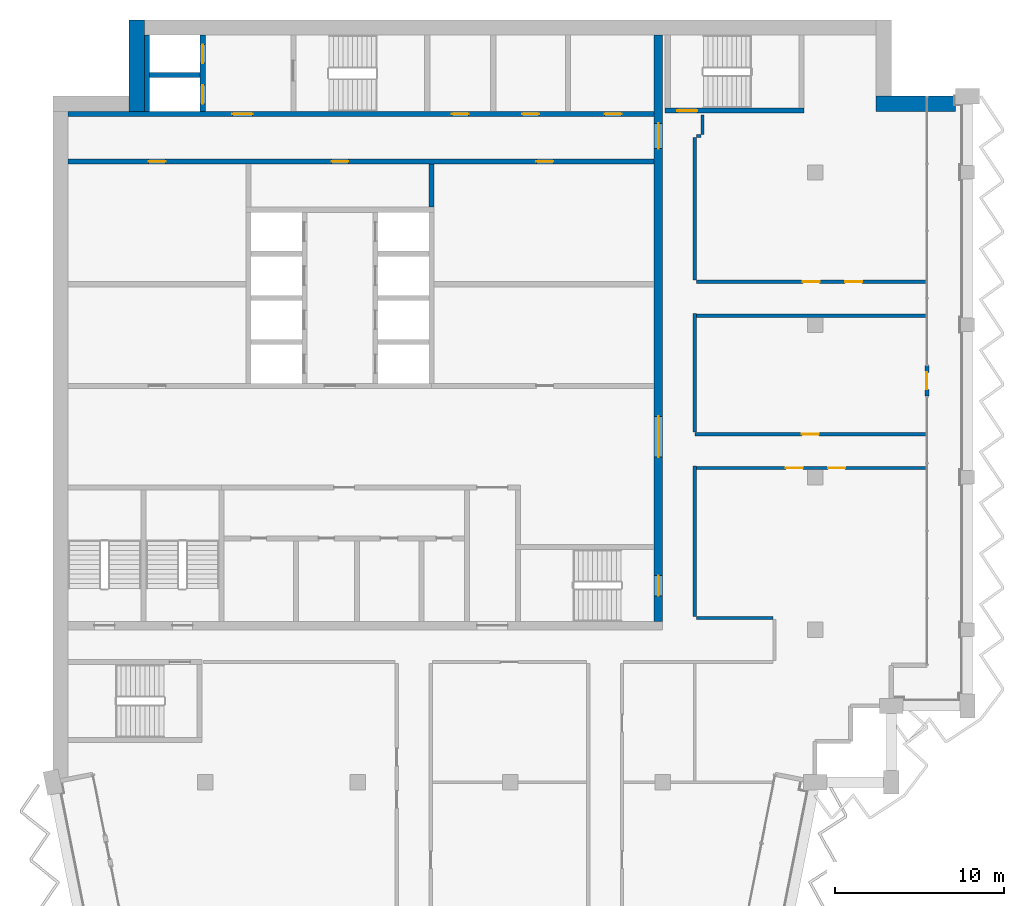
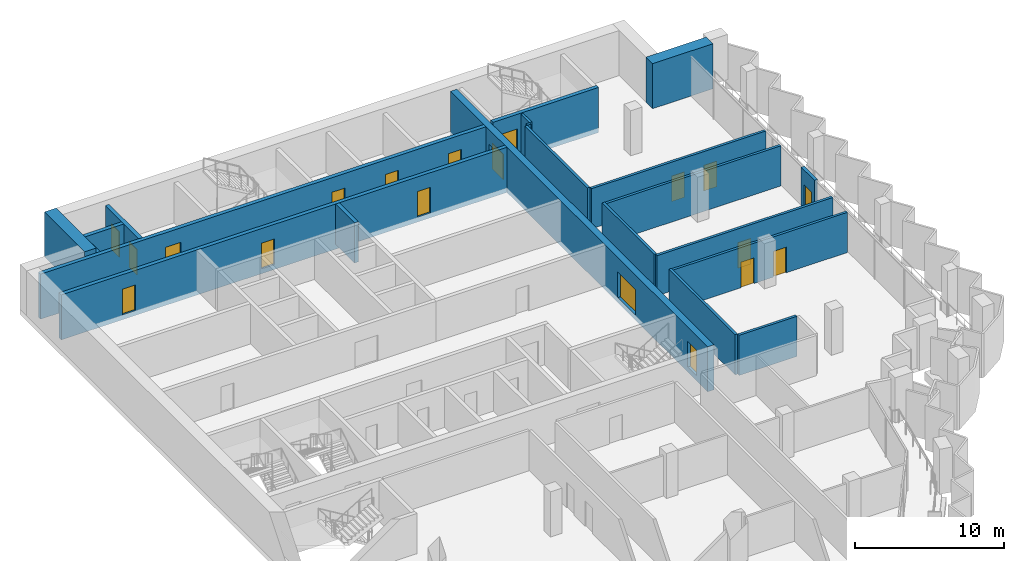
# One storey, part 9 of 14: 21 walls, 19 doors, 19 openings.
"""IFC4 building model written with IfcOpenShell, lengths in metres."""

from ifc_helpers import new_model, si_unit, direction, frame, frame_2d, origin, place, context, subcontext, project, spatial, rectangle, extrude, material, layer, layer_set, type_object, element, fill, save


model = new_model("IFC4")

# Units and contexts
model_context = context("Model", 3, precision=1e-05, world=origin(), true_north=direction((0.0, 1.0)))
body_context = subcontext(model_context, "Body", "Model", "MODEL_VIEW")
ifc_project = project(units=[si_unit("LENGTHUNIT", "METRE"), si_unit("AREAUNIT", "SQUARE_METRE"), si_unit("VOLUMEUNIT", "CUBIC_METRE"), si_unit("PLANEANGLEUNIT", "RADIAN"), si_unit("MASSUNIT", "GRAM", prefix="KILO")], contexts=[model_context])

# Site, building, storey
site_placement = place(None, origin())
site = spatial("IfcSite", under=ifc_project, at=site_placement, CompositionType="ELEMENT")
building_placement = place(site_placement, origin())
building = spatial("IfcBuilding", under=site, at=building_placement, Name="Hunhe Ridgeline Campus", CompositionType="ELEMENT")
storey_placement = place(building_placement, frame((0.0, 0.0, 284.5)))
storey = spatial("IfcBuildingStorey", under=building, at=storey_placement, Name="L73", CompositionType="ELEMENT", Elevation=284.5)

# Wall
ifc_material_1 = material(Name="Masonry concrete blockwork", Category="masonry")
ifc_layer_1 = layer(ifc_material_1, 0.300048828125)
ifc_layer_set_1 = layer_set([ifc_layer_1], Name="Core room partition 300 concrete block")
wall_type_1 = type_object("IfcWallType", Name="Core room partition 300 concrete block", PredefinedType="PARTITIONING", material=ifc_layer_set_1)
wall_1_placement = place(storey_placement, frame((22.35009765625, 87.949951171875, 0.0), z_axis=(0.0, 0.0, 1.0), x_axis=(0.0, 1.0, 0.0)))
element("IfcWall", 1, at=wall_1_placement, inside=storey, type_object=wall_type_1, Name="L73 core partition 38", PredefinedType="PARTITIONING", context=body_context, shape_type="SweptSolid", body=[
    extrude(rectangle(XDim=2.550048828125, YDim=0.300048828125, at=frame_2d((1.27490234375, 0.0))), origin(), (0.0, 0.0, 1.0), 3.300048828125),
])

# Wall, openings, doors
ifc_material_2 = material(Name="Concrete C50", Category="concrete")
ifc_layer_2 = layer(ifc_material_2, 0.5)
ifc_layer_set_2 = layer_set([ifc_layer_2], Name="Core wall 500 reinforced concrete C50")
wall_type_2 = type_object("IfcWallType", Name="Core wall 500 reinforced concrete C50", PredefinedType="SOLIDWALL", material=ifc_layer_set_2)
wall_2_placement = place(storey_placement, frame((35.75, 63.5, -0.39990234375), z_axis=(0.0, 0.0, 1.0), x_axis=(0.0, 1.0, 0.0)))
wall_2 = element("IfcWall", 2, at=wall_2_placement, inside=storey, type_object=wall_type_2, Name="L73 core wall 44", PredefinedType="SOLIDWALL", context=body_context, shape_type="SweptSolid", body=[
    extrude(rectangle(XDim=34.60009765625, YDim=0.5, at=frame_2d((17.300048828125, 0.0))), origin(), (0.0, 0.0, 1.0), 3.699951171875),
])
opening_1_placement = place(wall_2_placement, frame((9.699951171875, 0.0, 0.39990234375)))
opening_1 = element("IfcOpeningElement", 3, at=opening_1_placement, cuts=wall_2, Name="Opening CD4", PredefinedType="OPENING", context=body_context, shape_type="SweptSolid", body=[
    extrude(rectangle(XDim=2.39990234375, YDim=2.10009765625, at=frame_2d((1.199951171875, 1.050048828125))), frame((0.0, 0.25, 0.0), z_axis=(0.0, -1.0, 0.0), x_axis=(1.0, 0.0, 0.0)), (0.0, 0.0, 1.0), 0.5),
])
opening_2_placement = place(wall_2_placement, frame((27.89990234375, 0.0, 0.39990234375)))
opening_2 = element("IfcOpeningElement", 4, at=opening_2_placement, cuts=wall_2, Name="Opening CD5", PredefinedType="OPENING", context=body_context, shape_type="SweptSolid", body=[
    extrude(rectangle(XDim=1.5, YDim=2.10009765625, at=frame_2d((0.75, 1.050048828125))), frame((0.0, 0.25, 0.0), z_axis=(0.0, -1.0, 0.0), x_axis=(1.0, 0.0, 0.0)), (0.0, 0.0, 1.0), 0.5),
])
opening_3_placement = place(wall_2_placement, frame((1.5, 0.0, 0.39990234375)))
opening_3 = element("IfcOpeningElement", 5, at=opening_3_placement, cuts=wall_2, Name="Opening CD15", PredefinedType="OPENING", context=body_context, shape_type="SweptSolid", body=[
    extrude(rectangle(XDim=1.199951171875, YDim=2.10009765625, at=frame_2d((0.60009765625, 1.050048828125))), frame((0.0, 0.25, 0.0), z_axis=(0.0, -1.0, 0.0), x_axis=(1.0, 0.0, 0.0)), (0.0, 0.0, 1.0), 0.5),
])
ifc_material_3 = material(Name="Anodised aluminium and glass", Category="aluminium")
door_type_1 = type_object("IfcDoorType", Name="Glazed double door 2400x2100", OperationType="DOUBLE_DOOR_SINGLE_SWING", PredefinedType="DOOR", material=ifc_material_3)
door_1_placement = place(opening_1_placement, frame((2.39990234375, 0.0, 0.0), z_axis=(0.0, 0.0, 1.0), x_axis=(-1.0, 0.0, 0.0)))
door_1 = element("IfcDoor", 6, at=door_1_placement, inside=storey, type_object=door_type_1, Name="L73 door HALL-FLOOR", OperationType="DOUBLE_DOOR_SINGLE_SWING", OverallHeight=2.10009765625, OverallWidth=2.39990234375, PredefinedType="DOOR", context=body_context, shape_type="SweptSolid", body=[
    extrude(rectangle(XDim=2.39990234375, YDim=2.10009765625, at=frame_2d((1.199951171875, 1.050048828125))), frame((0.0, 0.02490234375, 0.0), z_axis=(0.0, -1.0, 0.0), x_axis=(1.0, 0.0, 0.0)), (0.0, 0.0, 1.0), 0.050048828125),
])
fill(opening_1, door_1)
ifc_material_4 = material(Name="Hollow metal fire door leaf")
door_type_2 = type_object("IfcDoorType", Name="Stair door 1200x2100 FD60", OperationType="SINGLE_SWING_LEFT", PredefinedType="DOOR", material=ifc_material_4)
door_2_placement = place(opening_3_placement, frame((1.199951171875, 0.0, 0.0), z_axis=(0.0, 0.0, 1.0), x_axis=(-1.0, 0.0, 0.0)))
door_2 = element("IfcDoor", 7, at=door_2_placement, inside=storey, type_object=door_type_2, Name="L73 door S2-FLOOR", OperationType="SINGLE_SWING_LEFT", OverallHeight=2.10009765625, OverallWidth=1.199951171875, PredefinedType="DOOR", context=body_context, shape_type="SweptSolid", body=[
    extrude(rectangle(XDim=1.199951171875, YDim=2.10009765625, at=frame_2d((0.60009765625, 1.050048828125))), frame((0.0, 0.02490234375, 0.0), z_axis=(0.0, -1.0, 0.0), x_axis=(1.0, 0.0, 0.0)), (0.0, 0.0, 1.0), 0.050048828125),
])
fill(opening_3, door_2)
ifc_material_5 = material(Name="Solid core timber door leaf", Category="wood")
door_type_3 = type_object("IfcDoorType", Name="Timber door 1500x2100", OperationType="SINGLE_SWING_LEFT", PredefinedType="DOOR", material=ifc_material_5)
door_3_placement = place(opening_2_placement, frame((1.5, 0.0, 0.0), z_axis=(0.0, 0.0, 1.0), x_axis=(-1.0, 0.0, 0.0)))
door_3 = element("IfcDoor", 8, at=door_3_placement, inside=storey, type_object=door_type_3, Name="L73 door C1-FLOOR", OperationType="SINGLE_SWING_LEFT", OverallHeight=2.10009765625, OverallWidth=1.5, PredefinedType="DOOR", context=body_context, shape_type="SweptSolid", body=[
    extrude(rectangle(XDim=1.5, YDim=2.10009765625, at=frame_2d((0.75, 1.050048828125))), frame((0.0, 0.02490234375, 0.0), z_axis=(0.0, -1.0, 0.0), x_axis=(1.0, 0.0, 0.0)), (0.0, 0.0, 1.0), 0.050048828125),
])
fill(opening_2, door_3)

# Wall
ifc_material_6 = material(Name="Gypsum board partition")
ifc_layer_3 = layer(ifc_material_6, 0.199951171875)
ifc_layer_set_3 = layer_set([ifc_layer_3], Name="Corridor partition 200 gypsum board on steel studs")
wall_type_3 = type_object("IfcWallType", Name="Corridor partition 200 gypsum board on steel studs", PredefinedType="PARTITIONING", material=ifc_layer_set_3)
wall_3_placement = place(storey_placement, frame((38.0, 63.699951171875, 0.0), z_axis=(0.0, 0.0, 1.0), x_axis=(1.0, 0.0, 0.0)))
element("IfcWall", 9, at=wall_3_placement, inside=storey, type_object=wall_type_3, Name="F-L73-wall-015", PredefinedType="PARTITIONING", context=body_context, shape_type="SweptSolid", body=[
    extrude(rectangle(XDim=4.5, YDim=0.199951171875, at=frame_2d((2.25, 0.0))), origin(), (0.0, 0.0, 1.0), 3.300048828125),
])

# Wall, openings, doors
wall_4_placement = place(storey_placement, frame((51.544921875, 72.550048828125, 0.0), z_axis=(0.0, 0.0, 1.0), x_axis=(-1.0, 0.0, 0.0)))
wall_4 = element("IfcWall", 10, at=wall_4_placement, inside=storey, type_object=wall_type_3, Name="F-L73-wall-016", PredefinedType="PARTITIONING", context=body_context, shape_type="SweptSolid", body=[
    extrude(rectangle(XDim=13.544921875, YDim=0.199951171875, at=frame_2d((6.7724609375, 0.0))), origin(), (0.0, 0.0, 1.0), 3.300048828125),
])
opening_4_placement = place(wall_4_placement, frame((7.2724609375, 0.0, 0.0)))
opening_4 = element("IfcOpeningElement", 11, at=opening_4_placement, cuts=wall_4, Name="Opening RD1-012", PredefinedType="OPENING", context=body_context, shape_type="SweptSolid", body=[
    extrude(rectangle(XDim=1.0, YDim=2.10009765625, at=frame_2d((0.5, 1.050048828125))), frame((0.0, 0.10009765625, 0.0), z_axis=(0.0, -1.0, 0.0), x_axis=(1.0, 0.0, 0.0)), (0.0, 0.0, 1.0), 0.199951171875),
])
opening_5_placement = place(wall_4_placement, frame((4.7724609375, 0.0, 0.0)))
opening_5 = element("IfcOpeningElement", 12, at=opening_5_placement, cuts=wall_4, Name="Opening RD1-013", PredefinedType="OPENING", context=body_context, shape_type="SweptSolid", body=[
    extrude(rectangle(XDim=1.0, YDim=2.10009765625, at=frame_2d((0.5, 1.050048828125))), frame((0.0, 0.10009765625, 0.0), z_axis=(0.0, -1.0, 0.0), x_axis=(1.0, 0.0, 0.0)), (0.0, 0.0, 1.0), 0.199951171875),
])
ifc_material_7 = material(Name="Timber door leaf", Category="wood")
door_type_4 = type_object("IfcDoorType", Name="Single fire door 1000x2100 timber FD60", OperationType="NOTDEFINED", PredefinedType="DOOR", material=ifc_material_7)
door_4_placement = place(opening_4_placement, frame((1.0, 0.0, 0.0), z_axis=(0.0, 0.0, 1.0), x_axis=(-1.0, 0.0, 0.0)))
door_4 = element("IfcDoor", 13, at=door_4_placement, inside=storey, type_object=door_type_4, Name="F-L73-door-012", OperationType="SINGLE_SWING_LEFT", OverallHeight=2.10009765625, OverallWidth=1.0, PredefinedType="DOOR", context=body_context, shape_type="SweptSolid", body=[
    extrude(rectangle(XDim=1.0, YDim=2.10009765625, at=frame_2d((0.5, 1.050048828125))), frame((0.0, 0.02490234375, 0.0), z_axis=(0.0, -1.0, 0.0), x_axis=(1.0, 0.0, 0.0)), (0.0, 0.0, 1.0), 0.050048828125),
])
fill(opening_4, door_4)
door_5_placement = place(opening_5_placement, frame((1.0, 0.0, 0.0), z_axis=(0.0, 0.0, 1.0), x_axis=(-1.0, 0.0, 0.0)))
door_5 = element("IfcDoor", 14, at=door_5_placement, inside=storey, type_object=door_type_4, Name="F-L73-door-013", OperationType="SINGLE_SWING_RIGHT", OverallHeight=2.10009765625, OverallWidth=1.0, PredefinedType="DOOR", context=body_context, shape_type="SweptSolid", body=[
    extrude(rectangle(XDim=1.0, YDim=2.10009765625, at=frame_2d((0.5, 1.050048828125))), frame((0.0, 0.02490234375, 0.0), z_axis=(0.0, -1.0, 0.0), x_axis=(1.0, 0.0, 0.0)), (0.0, 0.0, 1.0), 0.050048828125),
])
fill(opening_5, door_5)

# Wall, opening, door
wall_5_placement = place(storey_placement, frame((37.89990234375, 74.550048828125, 0.0), z_axis=(0.0, 0.0, 1.0), x_axis=(1.0, 0.0, 0.0)))
wall_5 = element("IfcWall", 15, at=wall_5_placement, inside=storey, type_object=wall_type_3, Name="F-L73-wall-017", PredefinedType="PARTITIONING", context=body_context, shape_type="SweptSolid", body=[
    extrude(rectangle(XDim=13.64501953125, YDim=0.199951171875, at=frame_2d((6.822509765625, 0.0))), origin(), (0.0, 0.0, 1.0), 3.300048828125),
])
opening_6_placement = place(wall_5_placement, frame((6.322509765625, 0.0, 0.0)))
opening_6 = element("IfcOpeningElement", 16, at=opening_6_placement, cuts=wall_5, Name="Opening RD1-014", PredefinedType="OPENING", context=body_context, shape_type="SweptSolid", body=[
    extrude(rectangle(XDim=1.0, YDim=2.10009765625, at=frame_2d((0.5, 1.050048828125))), frame((0.0, 0.10009765625, 0.0), z_axis=(0.0, -1.0, 0.0), x_axis=(1.0, 0.0, 0.0)), (0.0, 0.0, 1.0), 0.199951171875),
])
door_6_placement = place(opening_6_placement, origin())
door_6 = element("IfcDoor", 17, at=door_6_placement, inside=storey, type_object=door_type_4, Name="F-L73-door-014", OperationType="SINGLE_SWING_RIGHT", OverallHeight=2.10009765625, OverallWidth=1.0, PredefinedType="DOOR", context=body_context, shape_type="SweptSolid", body=[
    extrude(rectangle(XDim=1.0, YDim=2.10009765625, at=frame_2d((0.5, 1.050048828125))), frame((0.0, 0.02490234375, 0.0), z_axis=(0.0, -1.0, 0.0), x_axis=(1.0, 0.0, 0.0)), (0.0, 0.0, 1.0), 0.050048828125),
])
fill(opening_6, door_6)

# Wall
wall_6_placement = place(storey_placement, frame((51.544921875, 81.550048828125, 0.0), z_axis=(0.0, 0.0, 1.0), x_axis=(-1.0, 0.0, 0.0)))
element("IfcWall", 18, at=wall_6_placement, inside=storey, type_object=wall_type_3, Name="F-L73-wall-018", PredefinedType="PARTITIONING", context=body_context, shape_type="SweptSolid", body=[
    extrude(rectangle(XDim=13.544921875, YDim=0.199951171875, at=frame_2d((6.7724609375, 0.0))), origin(), (0.0, 0.0, 1.0), 3.300048828125),
])

# Wall, openings, doors
wall_7_placement = place(storey_placement, frame((38.0, 83.550048828125, 0.0), z_axis=(0.0, 0.0, 1.0), x_axis=(1.0, 0.0, 0.0)))
wall_7 = element("IfcWall", 19, at=wall_7_placement, inside=storey, type_object=wall_type_3, Name="F-L73-wall-019", PredefinedType="PARTITIONING", context=body_context, shape_type="SweptSolid", body=[
    extrude(rectangle(XDim=13.544921875, YDim=0.199951171875, at=frame_2d((6.7724609375, 0.0))), origin(), (0.0, 0.0, 1.0), 3.300048828125),
])
opening_7_placement = place(wall_7_placement, frame((6.2724609375, 0.0, 0.0)))
opening_7 = element("IfcOpeningElement", 20, at=opening_7_placement, cuts=wall_7, Name="Opening RD1-015", PredefinedType="OPENING", context=body_context, shape_type="SweptSolid", body=[
    extrude(rectangle(XDim=1.0, YDim=2.10009765625, at=frame_2d((0.5, 1.050048828125))), frame((0.0, 0.10009765625, 0.0), z_axis=(0.0, -1.0, 0.0), x_axis=(1.0, 0.0, 0.0)), (0.0, 0.0, 1.0), 0.199951171875),
])
opening_8_placement = place(wall_7_placement, frame((8.7724609375, 0.0, 0.0)))
opening_8 = element("IfcOpeningElement", 21, at=opening_8_placement, cuts=wall_7, Name="Opening RD1-016", PredefinedType="OPENING", context=body_context, shape_type="SweptSolid", body=[
    extrude(rectangle(XDim=1.0, YDim=2.10009765625, at=frame_2d((0.5, 1.050048828125))), frame((0.0, 0.10009765625, 0.0), z_axis=(0.0, -1.0, 0.0), x_axis=(1.0, 0.0, 0.0)), (0.0, 0.0, 1.0), 0.199951171875),
])
door_7_placement = place(opening_7_placement, frame((1.0, 0.0, 0.0), z_axis=(0.0, 0.0, 1.0), x_axis=(-1.0, 0.0, 0.0)))
door_7 = element("IfcDoor", 22, at=door_7_placement, inside=storey, type_object=door_type_4, Name="F-L73-door-015", OperationType="SINGLE_SWING_LEFT", OverallHeight=2.10009765625, OverallWidth=1.0, PredefinedType="DOOR", context=body_context, shape_type="SweptSolid", body=[
    extrude(rectangle(XDim=1.0, YDim=2.10009765625, at=frame_2d((0.5, 1.050048828125))), frame((0.0, 0.02490234375, 0.0), z_axis=(0.0, -1.0, 0.0), x_axis=(1.0, 0.0, 0.0)), (0.0, 0.0, 1.0), 0.050048828125),
])
fill(opening_7, door_7)
door_8_placement = place(opening_8_placement, frame((1.0, 0.0, 0.0), z_axis=(0.0, 0.0, 1.0), x_axis=(-1.0, 0.0, 0.0)))
door_8 = element("IfcDoor", 23, at=door_8_placement, inside=storey, type_object=door_type_4, Name="F-L73-door-016", OperationType="SINGLE_SWING_LEFT", OverallHeight=2.10009765625, OverallWidth=1.0, PredefinedType="DOOR", context=body_context, shape_type="SweptSolid", body=[
    extrude(rectangle(XDim=1.0, YDim=2.10009765625, at=frame_2d((0.5, 1.050048828125))), frame((0.0, 0.02490234375, 0.0), z_axis=(0.0, -1.0, 0.0), x_axis=(1.0, 0.0, 0.0)), (0.0, 0.0, 1.0), 0.050048828125),
])
fill(opening_8, door_8)

# Walls
wall_8_placement = place(storey_placement, frame((38.25, 92.14990234375, 0.0), z_axis=(0.0, 0.0, 1.0), x_axis=(-1.0, 0.0, 0.0)))
element("IfcWall", 24, at=wall_8_placement, inside=storey, type_object=wall_type_3, Name="F-L73-wall-020", PredefinedType="PARTITIONING", context=body_context, shape_type="SweptSolid", body=[
    extrude(rectangle(XDim=0.25, YDim=0.199951171875, at=frame_2d((0.125, 0.0))), origin(), (0.0, 0.0, 1.0), 3.300048828125),
])
wall_9_placement = place(storey_placement, frame((37.89990234375, 72.684326171875, 0.0), z_axis=(0.0, 0.0, 1.0), x_axis=(0.0, -1.0, 0.0)))
element("IfcWall", 25, at=wall_9_placement, inside=storey, type_object=wall_type_3, Name="F-L73-wall-026", PredefinedType="PARTITIONING", context=body_context, shape_type="SweptSolid", body=[
    extrude(rectangle(XDim=8.88427734375, YDim=0.199951171875, at=frame_2d((4.442138671875, 0.0))), origin(), (0.0, 0.0, 1.0), 3.300048828125),
])
wall_10_placement = place(storey_placement, frame((37.89990234375, 81.66845703125, 0.0), z_axis=(0.0, 0.0, 1.0), x_axis=(0.0, -1.0, 0.0)))
element("IfcWall", 26, at=wall_10_placement, inside=storey, type_object=wall_type_3, Name="F-L73-wall-027", PredefinedType="PARTITIONING", context=body_context, shape_type="SweptSolid", body=[
    extrude(rectangle(XDim=6.98779296875, YDim=0.199951171875, at=frame_2d((3.493896484375, 0.0))), origin(), (0.0, 0.0, 1.0), 3.300048828125),
])
wall_11_placement = place(storey_placement, frame((37.89990234375, 92.050048828125, 0.0), z_axis=(0.0, 0.0, 1.0), x_axis=(0.0, -1.0, 0.0)))
element("IfcWall", 27, at=wall_11_placement, inside=storey, type_object=wall_type_3, Name="F-L73-wall-028", PredefinedType="PARTITIONING", context=body_context, shape_type="SweptSolid", body=[
    extrude(rectangle(XDim=8.38525390625, YDim=0.199951171875, at=frame_2d((4.192626953125, 0.0))), origin(), (0.0, 0.0, 1.0), 3.300048828125),
])
wall_12_placement = place(storey_placement, frame((38.35009765625, 93.39599609375, 0.0), z_axis=(0.0, 0.0, 1.0), x_axis=(0.0, -1.0, 0.0)))
element("IfcWall", 28, at=wall_12_placement, inside=storey, type_object=wall_type_3, Name="F-L73-wall-029", PredefinedType="PARTITIONING", context=body_context, shape_type="SweptSolid", body=[
    extrude(rectangle(XDim=1.14599609375, YDim=0.199951171875, at=frame_2d((0.572998046875, 0.0))), origin(), (0.0, 0.0, 1.0), 3.300048828125),
])

# Wall, openings, doors
ifc_layer_4 = layer(ifc_material_2, 0.300048828125)
ifc_layer_set_4 = layer_set([ifc_layer_4], Name="Lobby wall 300 reinforced concrete C50")
wall_type_4 = type_object("IfcWallType", Name="Lobby wall 300 reinforced concrete C50", PredefinedType="SOLIDWALL", material=ifc_layer_set_4)
wall_13_placement = place(storey_placement, frame((0.89990234375, 90.64990234375, -0.39990234375), z_axis=(0.0, 0.0, 1.0), x_axis=(1.0, 0.0, 0.0)))
wall_13 = element("IfcWall", 29, at=wall_13_placement, inside=storey, type_object=wall_type_4, Name="L73 core wall 19", PredefinedType="SOLIDWALL", context=body_context, shape_type="SweptSolid", body=[
    extrude(rectangle(XDim=34.60009765625, YDim=0.300048828125, at=frame_2d((17.300048828125, 0.0))), origin(), (0.0, 0.0, 1.0), 3.699951171875),
])
opening_9_placement = place(wall_13_placement, frame((15.550048828125, 0.0, 0.39990234375)))
opening_9 = element("IfcOpeningElement", 30, at=opening_9_placement, cuts=wall_13, Name="Opening CD26", PredefinedType="OPENING", context=body_context, shape_type="SweptSolid", body=[
    extrude(rectangle(XDim=1.0, YDim=2.10009765625, at=frame_2d((0.5, 1.050048828125))), frame((0.0, 0.14990234375, 0.0), z_axis=(0.0, -1.0, 0.0), x_axis=(1.0, 0.0, 0.0)), (0.0, 0.0, 1.0), 0.300048828125),
])
opening_10_placement = place(wall_13_placement, frame((4.75, 0.0, 0.39990234375)))
opening_10 = element("IfcOpeningElement", 31, at=opening_10_placement, cuts=wall_13, Name="Opening CD40", PredefinedType="OPENING", context=body_context, shape_type="SweptSolid", body=[
    extrude(rectangle(XDim=1.0, YDim=2.10009765625, at=frame_2d((0.5, 1.050048828125))), frame((0.0, 0.14990234375, 0.0), z_axis=(0.0, -1.0, 0.0), x_axis=(1.0, 0.0, 0.0)), (0.0, 0.0, 1.0), 0.300048828125),
])
opening_11_placement = place(wall_13_placement, frame((27.64990234375, 0.0, 0.39990234375)))
opening_11 = element("IfcOpeningElement", 32, at=opening_11_placement, cuts=wall_13, Name="Opening CD33", PredefinedType="OPENING", context=body_context, shape_type="SweptSolid", body=[
    extrude(rectangle(XDim=1.0, YDim=2.10009765625, at=frame_2d((0.5, 1.050048828125))), frame((0.0, 0.14990234375, 0.0), z_axis=(0.0, -1.0, 0.0), x_axis=(1.0, 0.0, 0.0)), (0.0, 0.0, 1.0), 0.300048828125),
])
door_type_5 = type_object("IfcDoorType", Name="Timber door 1000x2100", OperationType="SINGLE_SWING_LEFT", PredefinedType="DOOR", material=ifc_material_5)
door_9_placement = place(opening_9_placement, frame((1.0, 0.0, 0.0), z_axis=(0.0, 0.0, 1.0), x_axis=(-1.0, 0.0, 0.0)))
door_9 = element("IfcDoor", 33, at=door_9_placement, inside=storey, type_object=door_type_5, Name="L73 door NR-0", OperationType="SINGLE_SWING_LEFT", OverallHeight=2.10009765625, OverallWidth=1.0, PredefinedType="DOOR", context=body_context, shape_type="SweptSolid", body=[
    extrude(rectangle(XDim=1.0, YDim=2.10009765625, at=frame_2d((0.5, 1.050048828125))), frame((0.0, 0.02490234375, 0.0), z_axis=(0.0, -1.0, 0.0), x_axis=(1.0, 0.0, 0.0)), (0.0, 0.0, 1.0), 0.050048828125),
])
fill(opening_9, door_9)
door_10_placement = place(opening_10_placement, frame((1.0, 0.0, 0.0), z_axis=(0.0, 0.0, 1.0), x_axis=(-1.0, 0.0, 0.0)))
door_10 = element("IfcDoor", 34, at=door_10_placement, inside=storey, type_object=door_type_5, Name="L73 door VD-LR1", OperationType="SINGLE_SWING_LEFT", OverallHeight=2.10009765625, OverallWidth=1.0, PredefinedType="DOOR", context=body_context, shape_type="SweptSolid", body=[
    extrude(rectangle(XDim=1.0, YDim=2.10009765625, at=frame_2d((0.5, 1.050048828125))), frame((0.0, 0.02490234375, 0.0), z_axis=(0.0, -1.0, 0.0), x_axis=(1.0, 0.0, 0.0)), (0.0, 0.0, 1.0), 0.050048828125),
])
fill(opening_10, door_10)
door_11_placement = place(opening_11_placement, frame((1.0, 0.0, 0.0), z_axis=(0.0, 0.0, 1.0), x_axis=(-1.0, 0.0, 0.0)))
door_11 = element("IfcDoor", 35, at=door_11_placement, inside=storey, type_object=door_type_5, Name="L73 door ES1", OperationType="SINGLE_SWING_RIGHT", OverallHeight=2.10009765625, OverallWidth=1.0, PredefinedType="DOOR", context=body_context, shape_type="SweptSolid", body=[
    extrude(rectangle(XDim=1.0, YDim=2.10009765625, at=frame_2d((0.5, 1.050048828125))), frame((0.0, 0.02490234375, 0.0), z_axis=(0.0, -1.0, 0.0), x_axis=(1.0, 0.0, 0.0)), (0.0, 0.0, 1.0), 0.050048828125),
])
fill(opening_11, door_11)

# Wall, opening, door
ifc_material_8 = material(Name="Concrete C30", Category="concrete")
ifc_layer_5 = layer(ifc_material_8, 0.25)
ifc_layer_set_5 = layer_set([ifc_layer_5], Name="Loggia door pier wall 250 Concrete C30")
wall_type_5 = type_object("IfcWallType", Name="Loggia door pier wall 250 Concrete C30", PredefinedType="SOLIDWALL", material=ifc_layer_set_5)
wall_14_placement = place(storey_placement, frame((51.59912109375, 76.800537109375, 0.0), z_axis=(0.0, 0.0, 1.0), x_axis=(0.0, 1.0, 0.0)))
wall_14 = element("IfcWall", 36, at=wall_14_placement, inside=storey, type_object=wall_type_5, Name="Loggia door pier 3", PredefinedType="SOLIDWALL", context=body_context, shape_type="SweptSolid", body=[
    extrude(rectangle(XDim=1.800048828125, YDim=0.25, at=frame_2d((0.89990234375, 0.0))), origin(), (0.0, 0.0, 1.0), 3.300048828125),
])
opening_12_placement = place(wall_14_placement, frame((0.39990234375, 0.0, 0.0)))
opening_12 = element("IfcOpeningElement", 37, at=opening_12_placement, cuts=wall_14, Name="Opening BD605", PredefinedType="OPENING", context=body_context, shape_type="SweptSolid", body=[
    extrude(rectangle(XDim=1.0, YDim=2.10009765625, at=frame_2d((0.5, 1.050048828125))), frame((0.0, 0.125, 0.0), z_axis=(0.0, -1.0, 0.0), x_axis=(1.0, 0.0, 0.0)), (0.0, 0.0, 1.0), 0.25),
])
ifc_material_9 = material(Name="Aluminium 6063", Category="aluminium")
door_type_6 = type_object("IfcDoorType", Name="Loggia glazed door 1000x2100", OperationType="NOTDEFINED", PredefinedType="DOOR", material=ifc_material_9)
door_12_placement = place(opening_12_placement, frame((1.0, 0.0, 0.0), z_axis=(0.0, 0.0, 1.0), x_axis=(-1.0, 0.0, 0.0)))
door_12 = element("IfcDoor", 38, at=door_12_placement, inside=storey, type_object=door_type_6, Name="Loggia door BD605", OperationType="SINGLE_SWING_RIGHT", OverallHeight=2.10009765625, OverallWidth=1.0, PredefinedType="DOOR", context=body_context, shape_type="SweptSolid", body=[
    extrude(rectangle(XDim=1.0, YDim=2.10009765625, at=frame_2d((0.5, 1.050048828125))), frame((0.0, 0.02490234375, 0.0), z_axis=(0.0, -1.0, 0.0), x_axis=(1.0, 0.0, 0.0)), (0.0, 0.0, 1.0), 0.050048828125),
])
fill(opening_12, door_12)

# Wall, openings, doors
ifc_layer_6 = layer(ifc_material_2, 0.300048828125)
ifc_layer_set_6 = layer_set([ifc_layer_6], Name="Shaft wall 300 reinforced concrete C50")
wall_type_6 = type_object("IfcWallType", Name="Shaft wall 300 reinforced concrete C50", PredefinedType="SOLIDWALL", material=ifc_layer_set_6)
wall_15_placement = place(storey_placement, frame((0.89990234375, 93.449951171875, -0.39990234375), z_axis=(0.0, 0.0, 1.0), x_axis=(1.0, 0.0, 0.0)))
wall_15 = element("IfcWall", 39, at=wall_15_placement, inside=storey, type_object=wall_type_6, Name="L73 core wall 20", PredefinedType="SOLIDWALL", context=body_context, shape_type="SweptSolid", body=[
    extrude(rectangle(XDim=34.60009765625, YDim=0.300048828125, at=frame_2d((17.300048828125, 0.0))), origin(), (0.0, 0.0, 1.0), 3.699951171875),
])
opening_13_placement = place(wall_15_placement, frame((9.699951171875, 0.0, 0.39990234375)))
opening_13 = element("IfcOpeningElement", 40, at=opening_13_placement, cuts=wall_15, Name="Opening CD3", PredefinedType="OPENING", context=body_context, shape_type="SweptSolid", body=[
    extrude(rectangle(XDim=1.199951171875, YDim=2.10009765625, at=frame_2d((0.60009765625, 1.050048828125))), frame((0.0, 0.14990234375, 0.0), z_axis=(0.0, -1.0, 0.0), x_axis=(1.0, 0.0, 0.0)), (0.0, 0.0, 1.0), 0.300048828125),
])
opening_14_placement = place(wall_15_placement, frame((22.64990234375, 0.0, 0.39990234375)))
opening_14 = element("IfcOpeningElement", 41, at=opening_14_placement, cuts=wall_15, Name="Opening CD34", PredefinedType="OPENING", context=body_context, shape_type="SweptSolid", body=[
    extrude(rectangle(XDim=1.0, YDim=2.10009765625, at=frame_2d((0.5, 1.050048828125))), frame((0.0, 0.14990234375, 0.0), z_axis=(0.0, -1.0, 0.0), x_axis=(1.0, 0.0, 0.0)), (0.0, 0.0, 1.0), 0.300048828125),
])
opening_15_placement = place(wall_15_placement, frame((26.800048828125, 0.0, 0.39990234375)))
opening_15 = element("IfcOpeningElement", 42, at=opening_15_placement, cuts=wall_15, Name="Opening CD35", PredefinedType="OPENING", context=body_context, shape_type="SweptSolid", body=[
    extrude(rectangle(XDim=1.0, YDim=2.10009765625, at=frame_2d((0.5, 1.050048828125))), frame((0.0, 0.14990234375, 0.0), z_axis=(0.0, -1.0, 0.0), x_axis=(1.0, 0.0, 0.0)), (0.0, 0.0, 1.0), 0.300048828125),
])
opening_16_placement = place(wall_15_placement, frame((31.675048828125, 0.0, 0.39990234375)))
opening_16 = element("IfcOpeningElement", 43, at=opening_16_placement, cuts=wall_15, Name="Opening CD36", PredefinedType="OPENING", context=body_context, shape_type="SweptSolid", body=[
    extrude(rectangle(XDim=1.0, YDim=2.10009765625, at=frame_2d((0.5, 1.050048828125))), frame((0.0, 0.14990234375, 0.0), z_axis=(0.0, -1.0, 0.0), x_axis=(1.0, 0.0, 0.0)), (0.0, 0.0, 1.0), 0.300048828125),
])
door_type_7 = type_object("IfcDoorType", Name="Lobby door 1200x2100 FD60", OperationType="SINGLE_SWING_LEFT", PredefinedType="DOOR", material=ifc_material_4)
door_13_placement = place(opening_13_placement, frame((1.199951171875, 0.0, 0.0), z_axis=(0.0, 0.0, 1.0), x_axis=(-1.0, 0.0, 0.0)))
door_13 = element("IfcDoor", 44, at=door_13_placement, inside=storey, type_object=door_type_7, Name="L73 door FF-C1", OperationType="SINGLE_SWING_RIGHT", OverallHeight=2.10009765625, OverallWidth=1.199951171875, PredefinedType="DOOR", context=body_context, shape_type="SweptSolid", body=[
    extrude(rectangle(XDim=1.199951171875, YDim=2.10009765625, at=frame_2d((0.60009765625, 1.050048828125))), frame((0.0, 0.02490234375, 0.0), z_axis=(0.0, -1.0, 0.0), x_axis=(1.0, 0.0, 0.0)), (0.0, 0.0, 1.0), 0.050048828125),
])
fill(opening_13, door_13)
door_14_placement = place(opening_14_placement, origin())
door_14 = element("IfcDoor", 45, at=door_14_placement, inside=storey, type_object=door_type_5, Name="L73 door NB0", OperationType="SINGLE_SWING_RIGHT", OverallHeight=2.10009765625, OverallWidth=1.0, PredefinedType="DOOR", context=body_context, shape_type="SweptSolid", body=[
    extrude(rectangle(XDim=1.0, YDim=2.10009765625, at=frame_2d((0.5, 1.050048828125))), frame((0.0, 0.02490234375, 0.0), z_axis=(0.0, -1.0, 0.0), x_axis=(1.0, 0.0, 0.0)), (0.0, 0.0, 1.0), 0.050048828125),
])
fill(opening_14, door_14)
door_15_placement = place(opening_15_placement, origin())
door_15 = element("IfcDoor", 46, at=door_15_placement, inside=storey, type_object=door_type_5, Name="L73 door NB1", OperationType="SINGLE_SWING_LEFT", OverallHeight=2.10009765625, OverallWidth=1.0, PredefinedType="DOOR", context=body_context, shape_type="SweptSolid", body=[
    extrude(rectangle(XDim=1.0, YDim=2.10009765625, at=frame_2d((0.5, 1.050048828125))), frame((0.0, 0.02490234375, 0.0), z_axis=(0.0, -1.0, 0.0), x_axis=(1.0, 0.0, 0.0)), (0.0, 0.0, 1.0), 0.050048828125),
])
fill(opening_15, door_15)
door_16_placement = place(opening_16_placement, origin())
door_16 = element("IfcDoor", 47, at=door_16_placement, inside=storey, type_object=door_type_5, Name="L73 door NB2", OperationType="SINGLE_SWING_RIGHT", OverallHeight=2.10009765625, OverallWidth=1.0, PredefinedType="DOOR", context=body_context, shape_type="SweptSolid", body=[
    extrude(rectangle(XDim=1.0, YDim=2.10009765625, at=frame_2d((0.5, 1.050048828125))), frame((0.0, 0.02490234375, 0.0), z_axis=(0.0, -1.0, 0.0), x_axis=(1.0, 0.0, 0.0)), (0.0, 0.0, 1.0), 0.050048828125),
])
fill(opening_16, door_16)

# Walls
wall_16_placement = place(storey_placement, frame((5.699951171875, 95.75, -0.39990234375), z_axis=(0.0, 0.0, 1.0), x_axis=(1.0, 0.0, 0.0)))
element("IfcWall", 48, at=wall_16_placement, inside=storey, type_object=wall_type_6, Name="L73 core wall 22", PredefinedType="SOLIDWALL", context=body_context, shape_type="SweptSolid", body=[
    extrude(rectangle(XDim=3.0, YDim=0.300048828125, at=frame_2d((1.5, 0.0))), origin(), (0.0, 0.0, 1.0), 3.699951171875),
])
wall_17_placement = place(storey_placement, frame((5.550048828125, 93.60009765625, -0.39990234375), z_axis=(0.0, 0.0, 1.0), x_axis=(0.0, 1.0, 0.0)))
element("IfcWall", 49, at=wall_17_placement, inside=storey, type_object=wall_type_6, Name="L73 core wall 24", PredefinedType="SOLIDWALL", context=body_context, shape_type="SweptSolid", body=[
    extrude(rectangle(XDim=4.5, YDim=0.300048828125, at=frame_2d((2.25, 0.0))), origin(), (0.0, 0.0, 1.0), 3.699951171875),
])

# Wall, openings, doors
wall_18_placement = place(storey_placement, frame((8.85009765625, 93.60009765625, -0.39990234375), z_axis=(0.0, 0.0, 1.0), x_axis=(0.0, 1.0, 0.0)))
wall_18 = element("IfcWall", 50, at=wall_18_placement, inside=storey, type_object=wall_type_6, Name="L73 core wall 26", PredefinedType="SOLIDWALL", context=body_context, shape_type="SweptSolid", body=[
    extrude(rectangle(XDim=4.5, YDim=0.300048828125, at=frame_2d((2.25, 0.0))), origin(), (0.0, 0.0, 1.0), 3.699951171875),
])
opening_17_placement = place(wall_18_placement, frame((0.449951171875, 0.0, 0.39990234375)))
opening_17 = element("IfcOpeningElement", 51, at=opening_17_placement, cuts=wall_18, Name="Opening LD-FF1", PredefinedType="OPENING", context=body_context, shape_type="SweptSolid", body=[
    extrude(rectangle(XDim=1.10009765625, YDim=2.10009765625, at=frame_2d((0.550048828125, 1.050048828125))), frame((0.0, 0.14990234375, 0.0), z_axis=(0.0, -1.0, 0.0), x_axis=(1.0, 0.0, 0.0)), (0.0, 0.0, 1.0), 0.300048828125),
])
opening_18_placement = place(wall_18_placement, frame((2.85009765625, 0.0, 0.39990234375)))
opening_18 = element("IfcOpeningElement", 52, at=opening_18_placement, cuts=wall_18, Name="Opening LD-FF2", PredefinedType="OPENING", context=body_context, shape_type="SweptSolid", body=[
    extrude(rectangle(XDim=1.10009765625, YDim=2.10009765625, at=frame_2d((0.550048828125, 1.050048828125))), frame((0.0, 0.14990234375, 0.0), z_axis=(0.0, -1.0, 0.0), x_axis=(1.0, 0.0, 0.0)), (0.0, 0.0, 1.0), 0.300048828125),
])
ifc_material_10 = material(Name="Stainless steel sliding leaves", Category="steel")
door_type_8 = type_object("IfcDoorType", Name="Landing door 1100x2100 FD120", OperationType="SLIDING_TO_LEFT", PredefinedType="DOOR", material=ifc_material_10)
door_17_placement = place(opening_17_placement, origin())
door_17 = element("IfcDoor", 53, at=door_17_placement, inside=storey, type_object=door_type_8, Name="L73 landing door FF1", OperationType="SLIDING_TO_RIGHT", OverallHeight=2.10009765625, OverallWidth=1.10009765625, PredefinedType="DOOR", context=body_context, shape_type="SweptSolid", body=[
    extrude(rectangle(XDim=1.10009765625, YDim=2.10009765625, at=frame_2d((0.550048828125, 1.050048828125))), frame((0.0, 0.02490234375, 0.0), z_axis=(0.0, -1.0, 0.0), x_axis=(1.0, 0.0, 0.0)), (0.0, 0.0, 1.0), 0.050048828125),
])
fill(opening_17, door_17)
door_18_placement = place(opening_18_placement, origin())
door_18 = element("IfcDoor", 54, at=door_18_placement, inside=storey, type_object=door_type_8, Name="L73 landing door FF2", OperationType="SLIDING_TO_LEFT", OverallHeight=2.10009765625, OverallWidth=1.10009765625, PredefinedType="DOOR", context=body_context, shape_type="SweptSolid", body=[
    extrude(rectangle(XDim=1.10009765625, YDim=2.10009765625, at=frame_2d((0.550048828125, 1.050048828125))), frame((0.0, 0.02490234375, 0.0), z_axis=(0.0, -1.0, 0.0), x_axis=(1.0, 0.0, 0.0)), (0.0, 0.0, 1.0), 0.050048828125),
])
fill(opening_18, door_18)

# Walls
ifc_layer_7 = layer(ifc_material_2, 0.89990234375)
ifc_layer_set_7 = layer_set([ifc_layer_7], Name="Spine wall 900 Concrete C50")
wall_type_7 = type_object("IfcWallType", Name="Spine wall 900 Concrete C50", PredefinedType="SHEAR", material=ifc_layer_set_7)
wall_19_placement = place(storey_placement, frame((53.300048828125, 94.050048828125, 0.0), z_axis=(0.0, 0.0, 1.0), x_axis=(-1.0, 0.0, 0.0)))
element("IfcWall", 55, at=wall_19_placement, inside=storey, type_object=wall_type_7, Name="Spine wall SW4-2 L73", PredefinedType="SHEAR", context=body_context, shape_type="SweptSolid", body=[
    extrude(rectangle(XDim=4.699951171875, YDim=0.89990234375, at=frame_2d((2.35009765625, 0.0))), origin(), (0.0, 0.0, 1.0), 3.699951171875),
])
wall_20_placement = place(storey_placement, frame((4.949951171875, 99.0, 0.0), z_axis=(0.0, 0.0, 1.0), x_axis=(0.0, -1.0, 0.0)))
element("IfcWall", 56, at=wall_20_placement, inside=storey, type_object=wall_type_7, Name="Spine wall SW4-5 L73", PredefinedType="SHEAR", context=body_context, shape_type="SweptSolid", body=[
    extrude(rectangle(XDim=5.400146484375, YDim=0.89990234375, at=frame_2d((2.7001953125, 0.0))), origin(), (0.0, 0.0, 1.0), 3.699951171875),
])

# Wall, opening, door
ifc_layer_8 = layer(ifc_material_2, 0.300048828125)
ifc_layer_set_8 = layer_set([ifc_layer_8], Name="Stair wall 300 reinforced concrete C50")
wall_type_8 = type_object("IfcWallType", Name="Stair wall 300 reinforced concrete C50", PredefinedType="SOLIDWALL", material=ifc_layer_set_8)
wall_21_placement = place(storey_placement, frame((36.14990234375, 93.64990234375, -0.39990234375), z_axis=(0.0, 0.0, 1.0), x_axis=(1.0, 0.0, 0.0)))
wall_21 = element("IfcWall", 57, at=wall_21_placement, inside=storey, type_object=wall_type_8, Name="L73 core wall 21", PredefinedType="SOLIDWALL", context=body_context, shape_type="SweptSolid", body=[
    extrude(rectangle(XDim=8.2001953125, YDim=0.300048828125, at=frame_2d((4.10009765625, 0.0))), origin(), (0.0, 0.0, 1.0), 3.699951171875),
])
opening_19_placement = place(wall_21_placement, frame((0.699951171875, 0.0, 0.39990234375)))
opening_19 = element("IfcOpeningElement", 58, at=opening_19_placement, cuts=wall_21, Name="Opening CD17", PredefinedType="OPENING", context=body_context, shape_type="SweptSolid", body=[
    extrude(rectangle(XDim=1.199951171875, YDim=2.10009765625, at=frame_2d((0.60009765625, 1.050048828125))), frame((0.0, 0.14990234375, 0.0), z_axis=(0.0, -1.0, 0.0), x_axis=(1.0, 0.0, 0.0)), (0.0, 0.0, 1.0), 0.300048828125),
])
door_19_placement = place(opening_19_placement, frame((1.199951171875, 0.0, 0.0), z_axis=(0.0, 0.0, 1.0), x_axis=(-1.0, 0.0, 0.0)))
door_19 = element("IfcDoor", 59, at=door_19_placement, inside=storey, type_object=door_type_2, Name="L73 door E1", OperationType="SINGLE_SWING_LEFT", OverallHeight=2.10009765625, OverallWidth=1.199951171875, PredefinedType="DOOR", context=body_context, shape_type="SweptSolid", body=[
    extrude(rectangle(XDim=1.199951171875, YDim=2.10009765625, at=frame_2d((0.60009765625, 1.050048828125))), frame((0.0, 0.02490234375, 0.0), z_axis=(0.0, -1.0, 0.0), x_axis=(1.0, 0.0, 0.0)), (0.0, 0.0, 1.0), 0.050048828125),
])
fill(opening_19, door_19)

save(model, "model.ifc")
